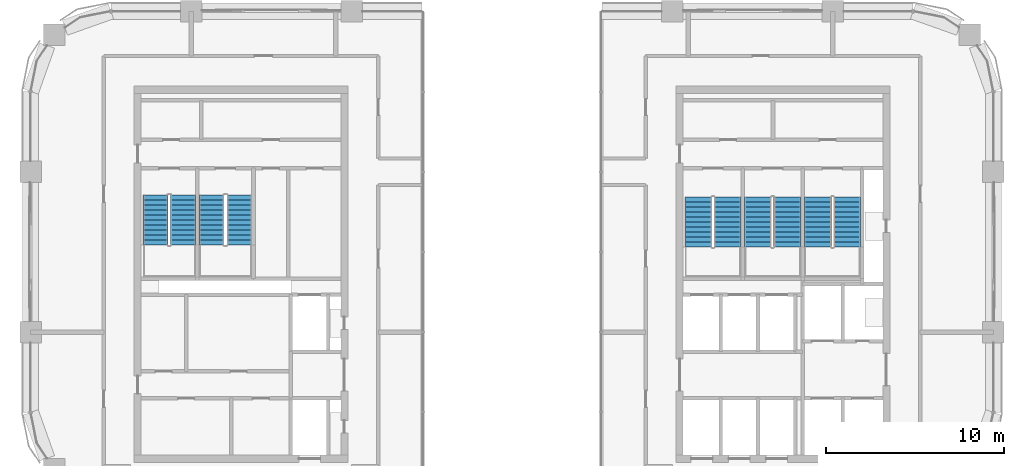
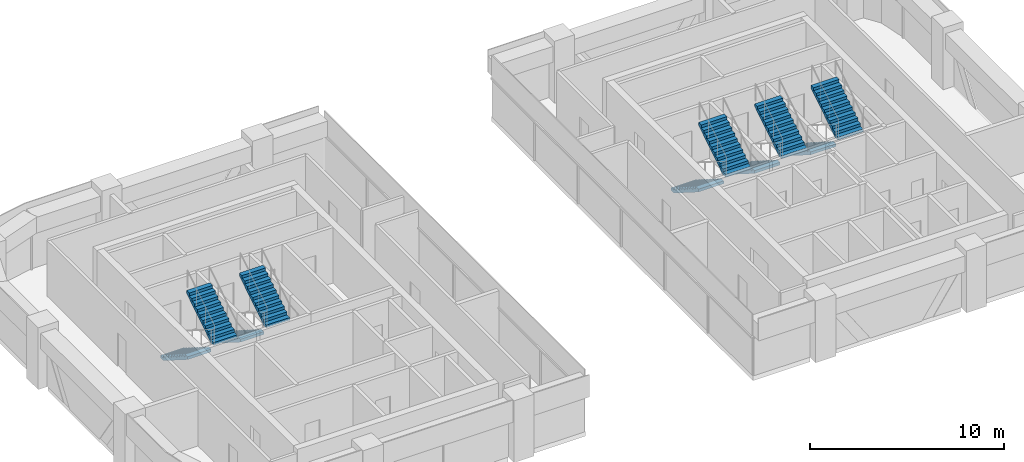
# One storey, part 9 of 11: 10 stair flights, 5 elements without a shape of their own.
"""IFC4 building model written with IfcOpenShell, lengths in metres."""

from ifc_helpers import new_model, si_unit, direction, frame, origin, place, context, subcontext, project, spatial, polyline, outline, extrude, material, type_object, element, aggregate, save


model = new_model("IFC4")

# Units and contexts
model_context = context("Model", 3, precision=1e-05, world=origin(), true_north=direction((0.0, 1.0)))
body_context = subcontext(model_context, "Body", "Model", "MODEL_VIEW")
ifc_project = project(units=[si_unit("LENGTHUNIT", "METRE"), si_unit("AREAUNIT", "SQUARE_METRE"), si_unit("VOLUMEUNIT", "CUBIC_METRE"), si_unit("PLANEANGLEUNIT", "RADIAN"), si_unit("MASSUNIT", "GRAM", prefix="KILO")], contexts=[model_context])

# Site, building, storey
site_placement = place(None, origin())
site = spatial("IfcSite", under=ifc_project, at=site_placement, CompositionType="ELEMENT")
building_placement = place(site_placement, origin())
building = spatial("IfcBuilding", under=site, at=building_placement, Name="Tessera Arch", CompositionType="ELEMENT")
storey_placement = place(building_placement, frame((0.0, 0.0, 222.800048828125)))
storey = spatial("IfcBuildingStorey", under=building, at=storey_placement, Name="L53", CompositionType="ELEMENT", Elevation=222.800048828125)

# Stair, stair flights
ifc_material_1 = material(Name="Concrete C40/50", Category="concrete")
stair_type_1 = type_object("IfcStairType", Name="Dogleg stair 1400", PredefinedType="HALF_TURN_STAIR", material=ifc_material_1)
stair_1_placement = place(storey_placement, origin())
stair_1 = element("IfcStair", 1, at=stair_1_placement, inside=storey, type_object=stair_type_1, Name="L53 S2a", PredefinedType="HALF_TURN_STAIR")
ifc_material_2 = material(Name="Concrete C40/50", Category="concrete")
stair_flight_type_1 = type_object("IfcStairFlightType", Name="Stair flight 1400", PredefinedType="STRAIGHT", material=ifc_material_2)
stair_flight_1_placement = place(storey_placement, frame((7.0, 43.699951171875, 0.0), z_axis=(0.0, 0.0, 1.0), x_axis=(0.0, -1.0, 0.0)))
stair_flight_1 = element("IfcStairFlight", 2, at=stair_flight_1_placement, type_object=stair_flight_type_1, Name="S2a flight 1", NumberOfRisers=11, NumberOfTreads=10, PredefinedType="STRAIGHT", RiserHeight=0.177272727, TreadLength=0.28, context=body_context, shape_type="SweptSolid", body=[
    extrude(outline(polyline([(0.0, 0.0), (0.0, 0.17724609375), (0.280029296875, 0.17724609375), (0.280029296875, 0.3544921875), (0.56005859375, 0.3544921875), (0.56005859375, 0.53173828125), (0.840087890625, 0.53173828125), (0.840087890625, 0.708984375), (1.1201171875, 0.708984375), (1.1201171875, 0.886474609375), (1.39990234375, 0.886474609375), (1.39990234375, 1.063720703125), (1.679931640625, 1.063720703125), (1.679931640625, 1.240966796875), (1.9599609375, 1.240966796875), (1.9599609375, 1.418212890625), (2.239990234375, 1.418212890625), (2.239990234375, 1.595458984375), (2.52001953125, 1.595458984375), (2.52001953125, 1.772705078125), (2.800048828125, 1.772705078125), (2.800048828125, 1.949951171875), (2.800048828125, 1.59521484375), (0.2802734375, 0.0), (0.0, 0.0)])), frame((0.0, 0.699951171875, 0.0), z_axis=(0.0, -1.0, 0.0), x_axis=(1.0, 0.0, 0.0)), (0.0, 0.0, 1.0), 1.39990234375),
])
stair_flight_2_placement = place(storey_placement, frame((8.550048828125, 40.89990234375, 1.949951171875), z_axis=(0.0, 0.0, 1.0), x_axis=(0.0, 1.0, 0.0)))
stair_flight_2 = element("IfcStairFlight", 3, at=stair_flight_2_placement, type_object=stair_flight_type_1, Name="S2a flight 2", NumberOfRisers=11, NumberOfTreads=10, PredefinedType="STRAIGHT", RiserHeight=0.177272727, TreadLength=0.28, context=body_context, shape_type="SweptSolid", body=[
    extrude(outline(polyline([(0.0, 0.0), (0.0, 0.17724609375), (0.280029296875, 0.17724609375), (0.280029296875, 0.3544921875), (0.56005859375, 0.3544921875), (0.56005859375, 0.53173828125), (0.840087890625, 0.53173828125), (0.840087890625, 0.708984375), (1.1201171875, 0.708984375), (1.1201171875, 0.886474609375), (1.39990234375, 0.886474609375), (1.39990234375, 1.063720703125), (1.679931640625, 1.063720703125), (1.679931640625, 1.240966796875), (1.9599609375, 1.240966796875), (1.9599609375, 1.418212890625), (2.239990234375, 1.418212890625), (2.239990234375, 1.595458984375), (2.52001953125, 1.595458984375), (2.52001953125, 1.772705078125), (2.800048828125, 1.772705078125), (2.800048828125, 1.949951171875), (2.800048828125, 1.59521484375), (0.2802734375, 0.0), (0.0, 0.0)])), frame((0.0, 0.699951171875, 0.0), z_axis=(0.0, -1.0, 0.0), x_axis=(1.0, 0.0, 0.0)), (0.0, 0.0, 1.0), 1.39990234375),
])
aggregate(stair_1, [stair_flight_1, stair_flight_2])

stair_2_placement = place(storey_placement, origin())
stair_2 = element("IfcStair", 4, at=stair_2_placement, inside=storey, type_object=stair_type_1, Name="L53 S2b", PredefinedType="HALF_TURN_STAIR")
stair_flight_3_placement = place(storey_placement, frame((10.14990234375, 43.699951171875, 0.0), z_axis=(0.0, 0.0, 1.0), x_axis=(0.0, -1.0, 0.0)))
stair_flight_3 = element("IfcStairFlight", 5, at=stair_flight_3_placement, type_object=stair_flight_type_1, Name="S2b flight 1", NumberOfRisers=11, NumberOfTreads=10, PredefinedType="STRAIGHT", RiserHeight=0.177272727, TreadLength=0.28, context=body_context, shape_type="SweptSolid", body=[
    extrude(outline(polyline([(0.0, 0.0), (0.0, 0.17724609375), (0.280029296875, 0.17724609375), (0.280029296875, 0.3544921875), (0.56005859375, 0.3544921875), (0.56005859375, 0.53173828125), (0.840087890625, 0.53173828125), (0.840087890625, 0.708984375), (1.1201171875, 0.708984375), (1.1201171875, 0.886474609375), (1.39990234375, 0.886474609375), (1.39990234375, 1.063720703125), (1.679931640625, 1.063720703125), (1.679931640625, 1.240966796875), (1.9599609375, 1.240966796875), (1.9599609375, 1.418212890625), (2.239990234375, 1.418212890625), (2.239990234375, 1.595458984375), (2.52001953125, 1.595458984375), (2.52001953125, 1.772705078125), (2.800048828125, 1.772705078125), (2.800048828125, 1.949951171875), (2.800048828125, 1.59521484375), (0.2802734375, 0.0), (0.0, 0.0)])), frame((0.0, 0.699951171875, 0.0), z_axis=(0.0, -1.0, 0.0), x_axis=(1.0, 0.0, 0.0)), (0.0, 0.0, 1.0), 1.39990234375),
])
stair_flight_4_placement = place(storey_placement, frame((11.699951171875, 40.89990234375, 1.949951171875), z_axis=(0.0, 0.0, 1.0), x_axis=(0.0, 1.0, 0.0)))
stair_flight_4 = element("IfcStairFlight", 6, at=stair_flight_4_placement, type_object=stair_flight_type_1, Name="S2b flight 2", NumberOfRisers=11, NumberOfTreads=10, PredefinedType="STRAIGHT", RiserHeight=0.177272727, TreadLength=0.28, context=body_context, shape_type="SweptSolid", body=[
    extrude(outline(polyline([(0.0, 0.0), (0.0, 0.17724609375), (0.280029296875, 0.17724609375), (0.280029296875, 0.3544921875), (0.56005859375, 0.3544921875), (0.56005859375, 0.53173828125), (0.840087890625, 0.53173828125), (0.840087890625, 0.708984375), (1.1201171875, 0.708984375), (1.1201171875, 0.886474609375), (1.39990234375, 0.886474609375), (1.39990234375, 1.063720703125), (1.679931640625, 1.063720703125), (1.679931640625, 1.240966796875), (1.9599609375, 1.240966796875), (1.9599609375, 1.418212890625), (2.239990234375, 1.418212890625), (2.239990234375, 1.595458984375), (2.52001953125, 1.595458984375), (2.52001953125, 1.772705078125), (2.800048828125, 1.772705078125), (2.800048828125, 1.949951171875), (2.800048828125, 1.59521484375), (0.2802734375, 0.0), (0.0, 0.0)])), frame((0.0, 0.699951171875, 0.0), z_axis=(0.0, -1.0, 0.0), x_axis=(1.0, 0.0, 0.0)), (0.0, 0.0, 1.0), 1.39990234375),
])
aggregate(stair_2, [stair_flight_3, stair_flight_4])

ifc_material_3 = material(Name="Concrete C40/50", Category="concrete")
stair_type_2 = type_object("IfcStairType", Name="Dogleg stair 1520", PredefinedType="HALF_TURN_STAIR", material=ifc_material_3)
stair_3_placement = place(storey_placement, origin())
stair_3 = element("IfcStair", 7, at=stair_3_placement, inside=storey, type_object=stair_type_2, Name="L53 S1a", PredefinedType="HALF_TURN_STAIR")
ifc_material_4 = material(Name="Concrete C40/50", Category="concrete")
stair_flight_type_2 = type_object("IfcStairFlightType", Name="Stair flight 1520", PredefinedType="STRAIGHT", material=ifc_material_4)
stair_flight_5_placement = place(storey_placement, frame((37.4599609375, 43.580078125, 0.0), z_axis=(0.0, 0.0, 1.0), x_axis=(0.0, -1.0, 0.0)))
stair_flight_5 = element("IfcStairFlight", 8, at=stair_flight_5_placement, type_object=stair_flight_type_2, Name="S1a flight 1", NumberOfRisers=11, NumberOfTreads=10, PredefinedType="STRAIGHT", RiserHeight=0.177272727, TreadLength=0.28, context=body_context, shape_type="SweptSolid", body=[
    extrude(outline(polyline([(0.0, 0.0), (0.0, 0.17724609375), (0.280029296875, 0.17724609375), (0.280029296875, 0.3544921875), (0.56005859375, 0.3544921875), (0.56005859375, 0.53173828125), (0.840087890625, 0.53173828125), (0.840087890625, 0.708984375), (1.1201171875, 0.708984375), (1.1201171875, 0.886474609375), (1.39990234375, 0.886474609375), (1.39990234375, 1.063720703125), (1.679931640625, 1.063720703125), (1.679931640625, 1.240966796875), (1.9599609375, 1.240966796875), (1.9599609375, 1.418212890625), (2.239990234375, 1.418212890625), (2.239990234375, 1.595458984375), (2.52001953125, 1.595458984375), (2.52001953125, 1.772705078125), (2.800048828125, 1.772705078125), (2.800048828125, 1.949951171875), (2.800048828125, 1.59521484375), (0.2802734375, 0.0), (0.0, 0.0)])), frame((0.0, 0.760009765625, 0.0), z_axis=(0.0, -1.0, 0.0), x_axis=(1.0, 0.0, 0.0)), (0.0, 0.0, 1.0), 1.52001953125),
])
stair_flight_6_placement = place(storey_placement, frame((39.090087890625, 40.780029296875, 1.949951171875), z_axis=(0.0, 0.0, 1.0), x_axis=(0.0, 1.0, 0.0)))
stair_flight_6 = element("IfcStairFlight", 9, at=stair_flight_6_placement, type_object=stair_flight_type_2, Name="S1a flight 2", NumberOfRisers=11, NumberOfTreads=10, PredefinedType="STRAIGHT", RiserHeight=0.177272727, TreadLength=0.28, context=body_context, shape_type="SweptSolid", body=[
    extrude(outline(polyline([(0.0, 0.0), (0.0, 0.17724609375), (0.280029296875, 0.17724609375), (0.280029296875, 0.3544921875), (0.56005859375, 0.3544921875), (0.56005859375, 0.53173828125), (0.840087890625, 0.53173828125), (0.840087890625, 0.708984375), (1.1201171875, 0.708984375), (1.1201171875, 0.886474609375), (1.39990234375, 0.886474609375), (1.39990234375, 1.063720703125), (1.679931640625, 1.063720703125), (1.679931640625, 1.240966796875), (1.9599609375, 1.240966796875), (1.9599609375, 1.418212890625), (2.239990234375, 1.418212890625), (2.239990234375, 1.595458984375), (2.52001953125, 1.595458984375), (2.52001953125, 1.772705078125), (2.800048828125, 1.772705078125), (2.800048828125, 1.949951171875), (2.800048828125, 1.59521484375), (0.2802734375, 0.0), (0.0, 0.0)])), frame((0.0, 0.760009765625, 0.0), z_axis=(0.0, -1.0, 0.0), x_axis=(1.0, 0.0, 0.0)), (0.0, 0.0, 1.0), 1.52001953125),
])
aggregate(stair_3, [stair_flight_5, stair_flight_6])

stair_4_placement = place(storey_placement, origin())
stair_4 = element("IfcStair", 10, at=stair_4_placement, inside=storey, type_object=stair_type_2, Name="L53 S1b", PredefinedType="HALF_TURN_STAIR")
stair_flight_7_placement = place(storey_placement, frame((40.81005859375, 43.580078125, 0.0), z_axis=(0.0, 0.0, 1.0), x_axis=(0.0, -1.0, 0.0)))
stair_flight_7 = element("IfcStairFlight", 11, at=stair_flight_7_placement, type_object=stair_flight_type_2, Name="S1b flight 1", NumberOfRisers=11, NumberOfTreads=10, PredefinedType="STRAIGHT", RiserHeight=0.177272727, TreadLength=0.28, context=body_context, shape_type="SweptSolid", body=[
    extrude(outline(polyline([(0.0, 0.0), (0.0, 0.17724609375), (0.280029296875, 0.17724609375), (0.280029296875, 0.3544921875), (0.56005859375, 0.3544921875), (0.56005859375, 0.53173828125), (0.840087890625, 0.53173828125), (0.840087890625, 0.708984375), (1.1201171875, 0.708984375), (1.1201171875, 0.886474609375), (1.39990234375, 0.886474609375), (1.39990234375, 1.063720703125), (1.679931640625, 1.063720703125), (1.679931640625, 1.240966796875), (1.9599609375, 1.240966796875), (1.9599609375, 1.418212890625), (2.239990234375, 1.418212890625), (2.239990234375, 1.595458984375), (2.52001953125, 1.595458984375), (2.52001953125, 1.772705078125), (2.800048828125, 1.772705078125), (2.800048828125, 1.949951171875), (2.800048828125, 1.59521484375), (0.2802734375, 0.0), (0.0, 0.0)])), frame((0.0, 0.760009765625, 0.0), z_axis=(0.0, -1.0, 0.0), x_axis=(1.0, 0.0, 0.0)), (0.0, 0.0, 1.0), 1.52001953125),
])
stair_flight_8_placement = place(storey_placement, frame((42.43994140625, 40.780029296875, 1.949951171875), z_axis=(0.0, 0.0, 1.0), x_axis=(0.0, 1.0, 0.0)))
stair_flight_8 = element("IfcStairFlight", 12, at=stair_flight_8_placement, type_object=stair_flight_type_2, Name="S1b flight 2", NumberOfRisers=11, NumberOfTreads=10, PredefinedType="STRAIGHT", RiserHeight=0.177272727, TreadLength=0.28, context=body_context, shape_type="SweptSolid", body=[
    extrude(outline(polyline([(0.0, 0.0), (0.0, 0.17724609375), (0.280029296875, 0.17724609375), (0.280029296875, 0.3544921875), (0.56005859375, 0.3544921875), (0.56005859375, 0.53173828125), (0.840087890625, 0.53173828125), (0.840087890625, 0.708984375), (1.1201171875, 0.708984375), (1.1201171875, 0.886474609375), (1.39990234375, 0.886474609375), (1.39990234375, 1.063720703125), (1.679931640625, 1.063720703125), (1.679931640625, 1.240966796875), (1.9599609375, 1.240966796875), (1.9599609375, 1.418212890625), (2.239990234375, 1.418212890625), (2.239990234375, 1.595458984375), (2.52001953125, 1.595458984375), (2.52001953125, 1.772705078125), (2.800048828125, 1.772705078125), (2.800048828125, 1.949951171875), (2.800048828125, 1.59521484375), (0.2802734375, 0.0), (0.0, 0.0)])), frame((0.0, 0.760009765625, 0.0), z_axis=(0.0, -1.0, 0.0), x_axis=(1.0, 0.0, 0.0)), (0.0, 0.0, 1.0), 1.52001953125),
])
aggregate(stair_4, [stair_flight_7, stair_flight_8])

stair_5_placement = place(storey_placement, origin())
stair_5 = element("IfcStair", 13, at=stair_5_placement, inside=storey, type_object=stair_type_2, Name="L53 S1c", PredefinedType="HALF_TURN_STAIR")
stair_flight_9_placement = place(storey_placement, frame((44.159912109375, 43.580078125, 0.0), z_axis=(0.0, 0.0, 1.0), x_axis=(0.0, -1.0, 0.0)))
stair_flight_9 = element("IfcStairFlight", 14, at=stair_flight_9_placement, type_object=stair_flight_type_2, Name="S1c flight 1", NumberOfRisers=11, NumberOfTreads=10, PredefinedType="STRAIGHT", RiserHeight=0.177272727, TreadLength=0.28, context=body_context, shape_type="SweptSolid", body=[
    extrude(outline(polyline([(0.0, 0.0), (0.0, 0.17724609375), (0.280029296875, 0.17724609375), (0.280029296875, 0.3544921875), (0.56005859375, 0.3544921875), (0.56005859375, 0.53173828125), (0.840087890625, 0.53173828125), (0.840087890625, 0.708984375), (1.1201171875, 0.708984375), (1.1201171875, 0.886474609375), (1.39990234375, 0.886474609375), (1.39990234375, 1.063720703125), (1.679931640625, 1.063720703125), (1.679931640625, 1.240966796875), (1.9599609375, 1.240966796875), (1.9599609375, 1.418212890625), (2.239990234375, 1.418212890625), (2.239990234375, 1.595458984375), (2.52001953125, 1.595458984375), (2.52001953125, 1.772705078125), (2.800048828125, 1.772705078125), (2.800048828125, 1.949951171875), (2.800048828125, 1.59521484375), (0.2802734375, 0.0), (0.0, 0.0)])), frame((0.0, 0.760009765625, 0.0), z_axis=(0.0, -1.0, 0.0), x_axis=(1.0, 0.0, 0.0)), (0.0, 0.0, 1.0), 1.52001953125),
])
stair_flight_10_placement = place(storey_placement, frame((45.7900390625, 40.780029296875, 1.949951171875), z_axis=(0.0, 0.0, 1.0), x_axis=(0.0, 1.0, 0.0)))
stair_flight_10 = element("IfcStairFlight", 15, at=stair_flight_10_placement, type_object=stair_flight_type_2, Name="S1c flight 2", NumberOfRisers=11, NumberOfTreads=10, PredefinedType="STRAIGHT", RiserHeight=0.177272727, TreadLength=0.28, context=body_context, shape_type="SweptSolid", body=[
    extrude(outline(polyline([(0.0, 0.0), (0.0, 0.17724609375), (0.280029296875, 0.17724609375), (0.280029296875, 0.3544921875), (0.56005859375, 0.3544921875), (0.56005859375, 0.53173828125), (0.840087890625, 0.53173828125), (0.840087890625, 0.708984375), (1.1201171875, 0.708984375), (1.1201171875, 0.886474609375), (1.39990234375, 0.886474609375), (1.39990234375, 1.063720703125), (1.679931640625, 1.063720703125), (1.679931640625, 1.240966796875), (1.9599609375, 1.240966796875), (1.9599609375, 1.418212890625), (2.239990234375, 1.418212890625), (2.239990234375, 1.595458984375), (2.52001953125, 1.595458984375), (2.52001953125, 1.772705078125), (2.800048828125, 1.772705078125), (2.800048828125, 1.949951171875), (2.800048828125, 1.59521484375), (0.2802734375, 0.0), (0.0, 0.0)])), frame((0.0, 0.760009765625, 0.0), z_axis=(0.0, -1.0, 0.0), x_axis=(1.0, 0.0, 0.0)), (0.0, 0.0, 1.0), 1.52001953125),
])
aggregate(stair_5, [stair_flight_9, stair_flight_10])

save(model, "model.ifc")
